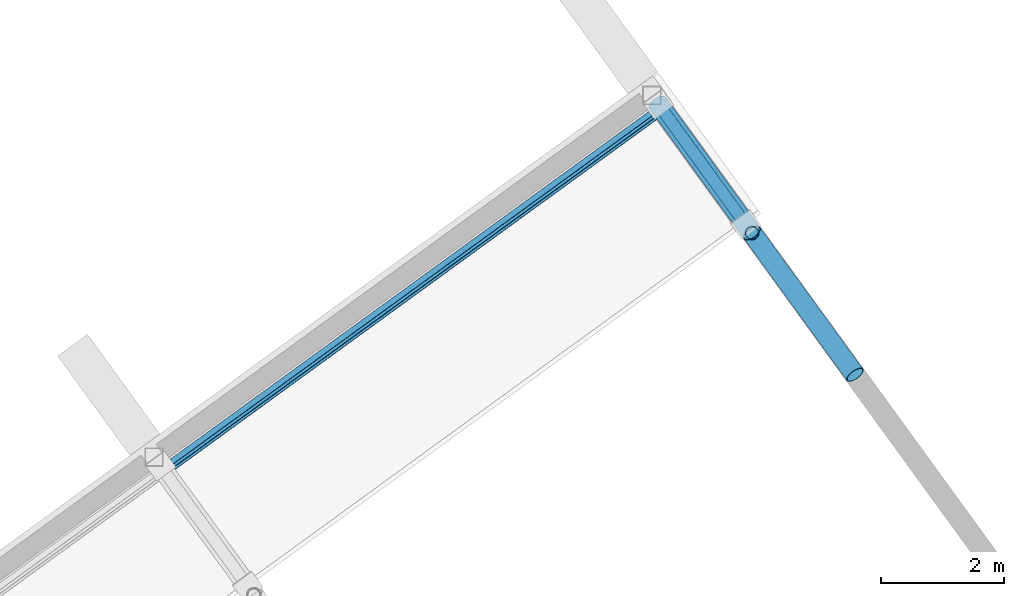
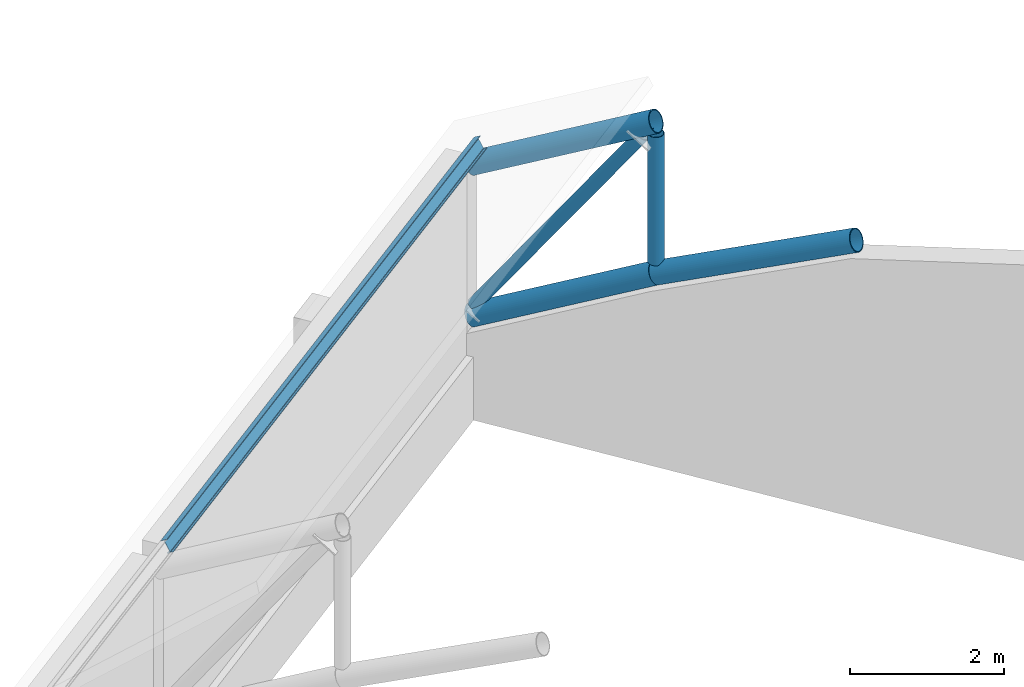
# One storey, part 99 of 196: 5 members, 1 beam.
"""IFC4 building model written with IfcOpenShell, lengths in metres."""

from ifc_helpers import new_model, si_unit, direction, frame, origin, origin_2d, place, context, subcontext, project, spatial, hollow_circle, i_section, extrude, material, material_profile, profile_set, type_object, element, save


model = new_model("IFC4")

# Units and contexts
model_context = context("Model", 3, precision=1e-05, world=origin(), true_north=direction((0.0, 1.0)))
body_context = subcontext(model_context, "Body", "Model", "MODEL_VIEW")
ifc_project = project(units=[si_unit("LENGTHUNIT", "METRE"), si_unit("AREAUNIT", "SQUARE_METRE"), si_unit("VOLUMEUNIT", "CUBIC_METRE"), si_unit("PLANEANGLEUNIT", "RADIAN"), si_unit("MASSUNIT", "GRAM", prefix="KILO")], contexts=[model_context])

# Site, building, storey
site_placement = place(None, origin())
site = spatial("IfcSite", under=ifc_project, at=site_placement, CompositionType="ELEMENT")
building_placement = place(site_placement, origin())
building = spatial("IfcBuilding", under=site, at=building_placement, Name="Okhra Congress Centre", CompositionType="ELEMENT")
storey_placement = place(building_placement, frame((0.0, 0.0, 12.0)))
storey = spatial("IfcBuildingStorey", under=building, at=storey_placement, Name="L02", CompositionType="ELEMENT", Elevation=12.0)

# Members
ifc_material_1 = material(Name="Steel S355J2H", Category="steel")
ifc_material_profile_1 = material_profile(ifc_material_1, hollow_circle(Radius=0.096923828125, WallThickness=0.010009765625, at=origin_2d()), Name="CHS 193.7x10")
ifc_profile_set_1 = profile_set([ifc_material_profile_1], Name="Steel S355J2H")
member_type_1 = type_object("IfcMemberType", Name="CHS 193.7x10", PredefinedType="BRACE", material=ifc_profile_set_1)
member_1_placement = place(storey_placement, frame((246.718017578125, 234.916015625, 1.705810546875), z_axis=(0.340441482182, -0.468644406713, 0.815151530248), x_axis=(0.809056898295, 0.587730325338, 0.0)))
element("IfcMember", 1, at=member_1_placement, inside=storey, type_object=member_type_1, Name="Truss 7 diagonal 18", PredefinedType="BRACE", context=body_context, shape_type="SweptSolid", body=[
    extrude(hollow_circle(Radius=0.096923828125, WallThickness=0.010009765625, at=origin_2d()), origin(), (0.0, 0.0, 1.0), 4.145751953125),
])
ifc_material_profile_2 = material_profile(ifc_material_1, hollow_circle(Radius=0.109619140625, WallThickness=0.008056640625, at=origin_2d()), Name="CHS 219.1x8")
ifc_profile_set_2 = profile_set([ifc_material_profile_2], Name="Steel S355J2H")
member_type_2 = type_object("IfcMemberType", Name="CHS 219.1x8", PredefinedType="POST", material=ifc_profile_set_2)
member_2_placement = place(storey_placement, frame((248.236328125, 232.826171875, 3.1240234375), z_axis=(0.0, 0.0, 1.0), x_axis=(1.0, 0.0, 0.0)))
element("IfcMember", 2, at=member_2_placement, inside=storey, type_object=member_type_2, Name="Truss 7 post 17", PredefinedType="POST", context=body_context, shape_type="SweptSolid", body=[
    extrude(hollow_circle(Radius=0.109619140625, WallThickness=0.008056640625, at=origin_2d()), origin(), (0.0, 0.0, 1.0), 2.033447265625),
])
ifc_material_profile_3 = material_profile(ifc_material_1, hollow_circle(Radius=0.161865234375, WallThickness=0.012451171875, at=origin_2d()), Name="CHS 323.9x12.5")
ifc_profile_set_3 = profile_set([ifc_material_profile_3], Name="Steel S355J2H")
member_type_3 = type_object("IfcMemberType", Name="CHS 323.9x12.5", PredefinedType="CHORD", material=ifc_profile_set_3)
member_3_placement = place(storey_placement, frame((249.90966796875, 230.52294921875, 4.268310546875), z_axis=(-0.532696866834, 0.733215967568, -0.422644523175), x_axis=(-0.809025240298, -0.587773902586, 0.0)))
element("IfcMember", 3, at=member_3_placement, inside=storey, type_object=member_type_3, Name="Truss 7 bottom chord 17", PredefinedType="CHORD", context=body_context, shape_type="SweptSolid", body=[
    extrude(hollow_circle(Radius=0.161865234375, WallThickness=0.012451171875, at=origin_2d()), origin(), (0.0, 0.0, 1.0), 3.141357421875),
])
for number, where, z_axis, x_axis, name in (
    (4, (248.236328125, 232.826171875, 2.940673828125), (-0.517401358597, 0.712084303088, -0.474585903097), (-0.808994395952, -0.587816355096, 0.0), "Truss 7 bottom chord 18"),
    (5, (248.236328125, 232.826171875, 5.3408203125), (-0.517401358597, 0.712084303088, -0.474585903097), (-0.808994395952, -0.587816355096, 0.0), "Truss 7 top chord 18"),
):
    element("IfcMember", number, at=place(storey_placement, frame(where, z_axis=z_axis, x_axis=x_axis)), inside=storey, type_object=member_type_3, Name=name, PredefinedType="CHORD", context=body_context, shape_type="SweptSolid", body=[
        extrude(hollow_circle(Radius=0.161865234375, WallThickness=0.012451171875, at=origin_2d()), origin(), (0.0, 0.0, 1.0), 2.970947265625),
    ])

# Beam
ifc_material_2 = material(Name="Steel S355J2", Category="steel")
ifc_material_profile_4 = material_profile(ifc_material_2, i_section(OverallWidth=0.10009765625, OverallDepth=0.199951171875, WebThickness=0.005615234375, FlangeThickness=0.008544921875, FilletRadius=0.011962890625, at=origin_2d()), Name="IPE 200")
ifc_profile_set_4 = profile_set([ifc_material_profile_4], Name="Steel S355J2")
beam_type = type_object("IfcBeamType", Name="IPE 200", PredefinedType="BEAM", material=ifc_profile_set_4)
beam_placement = place(storey_placement, frame((238.681396484375, 228.964111328125, 4.29150390625), z_axis=(0.809030534284, 0.587766615755, 0.0), x_axis=(-0.517352992878, 0.712109801786, -0.474600369743)))
element("IfcBeam", 6, at=beam_placement, inside=storey, type_object=beam_type, Name="Purlin 19.114", PredefinedType="BEAM", context=body_context, shape_type="SweptSolid", body=[
    extrude(i_section(OverallWidth=0.10009765625, OverallDepth=0.199951171875, WebThickness=0.005615234375, FlangeThickness=0.008544921875, FilletRadius=0.011962890625, at=origin_2d()), origin(), (0.0, 0.0, 1.0), 10.0),
])

save(model, "model.ifc")
